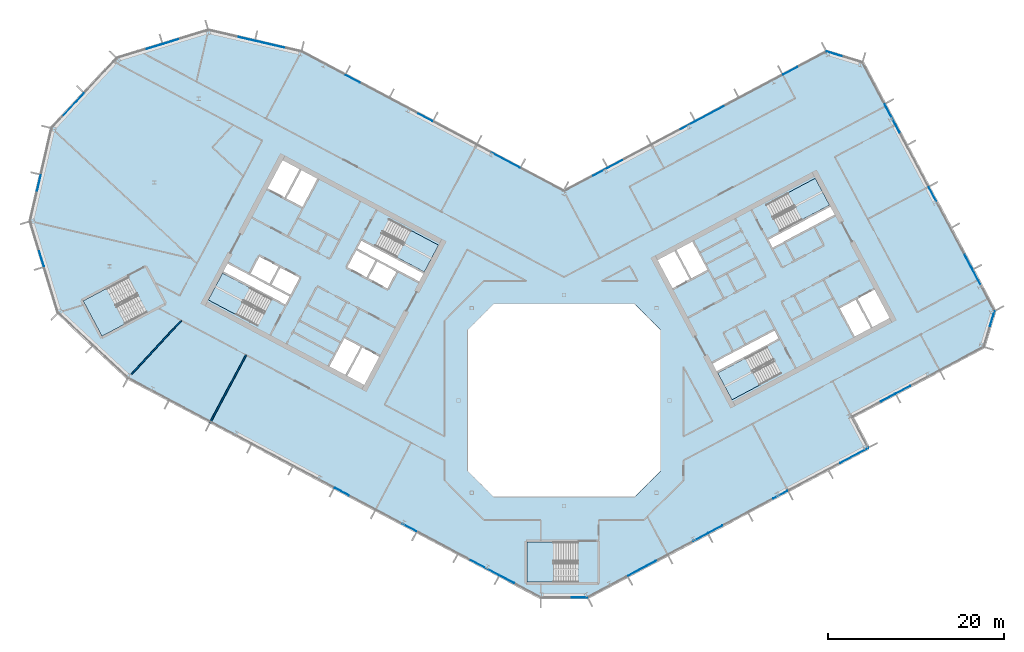
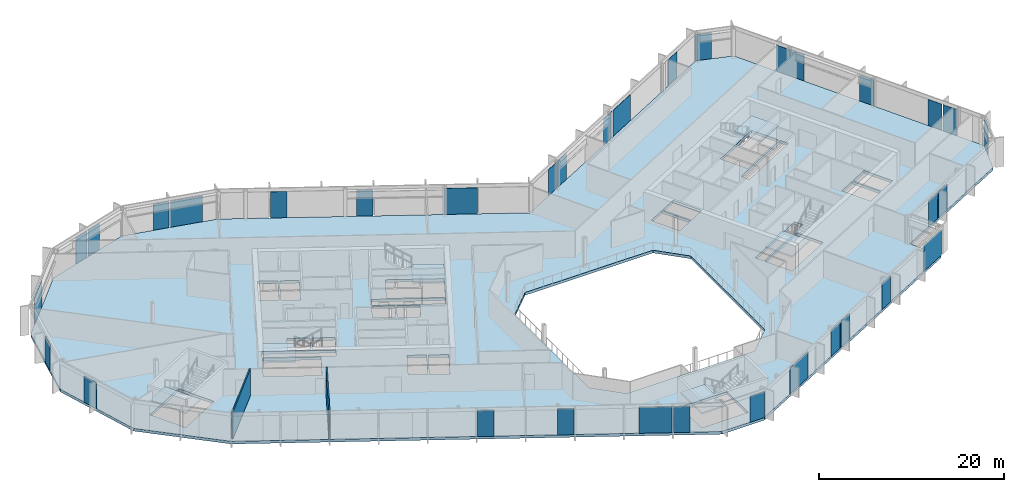
# One storey, part 11 of 26: 33 plates, 7 slabs, 2 walls, 20 elements without a shape of their own.
"""IFC4 building model written with IfcOpenShell, lengths in metres."""

from ifc_helpers import new_model, si_unit, direction, frame, frame_2d, origin, origin_2d, place, context, subcontext, project, spatial, polyline, rectangle, outline, extrude, material, layer, layer_set, type_object, element, aggregate, save


model = new_model("IFC4")

# Units and contexts
model_context = context("Model", 3, precision=1e-05, world=origin(), true_north=direction((0.0, 1.0)))
body_context = subcontext(model_context, "Body", "Model", "MODEL_VIEW")
ifc_project = project(units=[si_unit("LENGTHUNIT", "METRE"), si_unit("AREAUNIT", "SQUARE_METRE"), si_unit("VOLUMEUNIT", "CUBIC_METRE"), si_unit("PLANEANGLEUNIT", "RADIAN"), si_unit("MASSUNIT", "GRAM", prefix="KILO")], contexts=[model_context])

# Site, building, storey
site_placement = place(None, origin())
site = spatial("IfcSite", under=ifc_project, at=site_placement, CompositionType="ELEMENT")
building_placement = place(site_placement, origin())
building = spatial("IfcBuilding", under=site, at=building_placement, Name="Cormorant Relay Tower", CompositionType="ELEMENT")
storey_placement = place(building_placement, frame((0.0, 0.0, 244.199951171875)))
storey = spatial("IfcBuildingStorey", under=building, at=storey_placement, Name="L54", CompositionType="ELEMENT", Elevation=244.199951171875)

# Curtain wall, plate
ifc_material_1 = material(Name="Aluminium 6063-T6 anodised bronze", Category="aluminium")
ifc_layer_1 = layer(ifc_material_1, 0.199951171875)
ifc_layer_set_1 = layer_set([ifc_layer_1], Name="CW1 unitised bronze curtain wall with vertical fins")
curtain_wall_type = type_object("IfcCurtainWallType", Name="CW1 unitised bronze curtain wall with vertical fins", PredefinedType="NOTDEFINED", material=ifc_layer_set_1)
curtain_wall_1_placement = place(storey_placement, origin())
curtain_wall_1 = element("IfcCurtainWall", 1, at=curtain_wall_1_placement, inside=storey, type_object=curtain_wall_type, Name="CW1 curtain wall 1", PredefinedType="NOTDEFINED")
ifc_material_2 = material(Name="Tinted laminated glass", Category="glass")
ifc_layer_2 = layer(ifc_material_2, 0.0400390625)
ifc_layer_set_2 = layer_set([ifc_layer_2], Name="CW1 tinted vision panel 1800 module")
plate_type_1 = type_object("IfcPlateType", Name="CW1 tinted vision panel 1800 module", PredefinedType="CURTAIN_PANEL", material=ifc_layer_set_2)
plate_1_placement = place(storey_placement, frame((1.748779296875, -22.3955078125, 0.0), z_axis=(0.0, 0.0, 1.0), x_axis=(1.0, 0.0, 0.0)))
plate_1 = element("IfcPlate", 2, at=plate_1_placement, type_object=plate_type_1, Name="CW1 panel V01", PredefinedType="CURTAIN_PANEL", context=body_context, shape_type="SweptSolid", body=[
    extrude(rectangle(XDim=1.800048828125, YDim=0.0400390625, at=origin_2d()), origin(), (0.0, 0.0, 1.0), 3.449951171875),
])
aggregate(curtain_wall_1, [plate_1])

# Curtain wall, plates
curtain_wall_2_placement = place(storey_placement, origin())
curtain_wall_2 = element("IfcCurtainWall", 3, at=curtain_wall_2_placement, inside=storey, type_object=curtain_wall_type, Name="CW1 curtain wall 2", PredefinedType="NOTDEFINED")
plate_2_placement = place(storey_placement, frame((15.48291015625, -15.57421875, 0.0), z_axis=(0.0, 0.0, 1.0), x_axis=(0.882947592859, 0.469471562786, 0.0)))
plate_2 = element("IfcPlate", 4, at=plate_2_placement, type_object=plate_type_1, Name="CW1 panel V03", PredefinedType="CURTAIN_PANEL", context=body_context, shape_type="SweptSolid", body=[
    extrude(rectangle(XDim=1.800048828125, YDim=0.0400390625, at=origin_2d()), origin(), (0.0, 0.0, 1.0), 3.449951171875),
])
plate_3_placement = place(storey_placement, frame((17.20458984375, -14.65869140625, 0.0), z_axis=(0.0, 0.0, 1.0), x_axis=(0.882947592859, 0.469471562786, 0.0)))
plate_3 = element("IfcPlate", 5, at=plate_3_placement, type_object=plate_type_1, Name="CW1 panel V04", PredefinedType="CURTAIN_PANEL", context=body_context, shape_type="SweptSolid", body=[
    extrude(rectangle(XDim=1.800048828125, YDim=0.0400390625, at=origin_2d()), origin(), (0.0, 0.0, 1.0), 3.449951171875),
])
plate_4_placement = place(storey_placement, frame((24.6064453125, -10.72314453125, 0.0), z_axis=(0.0, 0.0, 1.0), x_axis=(0.882947592859, 0.469471562786, 0.0)))
plate_4 = element("IfcPlate", 6, at=plate_4_placement, type_object=plate_type_1, Name="CW1 panel V06", PredefinedType="CURTAIN_PANEL", context=body_context, shape_type="SweptSolid", body=[
    extrude(rectangle(XDim=1.800048828125, YDim=0.0400390625, at=origin_2d()), origin(), (0.0, 0.0, 1.0), 3.449951171875),
])

curtain_wall_3_placement = place(storey_placement, origin())
curtain_wall_3 = element("IfcCurtainWall", 7, at=curtain_wall_3_placement, inside=storey, type_object=curtain_wall_type, Name="CW1 curtain wall 4", PredefinedType="NOTDEFINED")
plate_5_placement = place(storey_placement, frame((36.85546875, 0.320068359375, 0.0), z_axis=(0.0, 0.0, 1.0), x_axis=(0.882947592859, 0.469471562786, 0.0)))
plate_5 = element("IfcPlate", 8, at=plate_5_placement, type_object=plate_type_1, Name="CW1 panel V01", PredefinedType="CURTAIN_PANEL", context=body_context, shape_type="SweptSolid", body=[
    extrude(rectangle(XDim=1.800048828125, YDim=0.0400390625, at=origin_2d()), origin(), (0.0, 0.0, 1.0), 3.449951171875),
])
plate_6_placement = place(storey_placement, frame((38.5771484375, 1.235595703125, 0.0), z_axis=(0.0, 0.0, 1.0), x_axis=(0.882947592859, 0.469471562786, 0.0)))
plate_6 = element("IfcPlate", 9, at=plate_6_placement, type_object=plate_type_1, Name="CW1 panel V02", PredefinedType="CURTAIN_PANEL", context=body_context, shape_type="SweptSolid", body=[
    extrude(rectangle(XDim=1.800048828125, YDim=0.0400390625, at=origin_2d()), origin(), (0.0, 0.0, 1.0), 3.449951171875),
])
aggregate(curtain_wall_3, [plate_5, plate_6])

# Curtain wall, plate
curtain_wall_4_placement = place(storey_placement, origin())
curtain_wall_4 = element("IfcCurtainWall", 10, at=curtain_wall_4_placement, inside=storey, type_object=curtain_wall_type, Name="CW1 curtain wall 5", PredefinedType="NOTDEFINED")
plate_7_placement = place(storey_placement, frame((48.710205078125, 9.306884765625, 0.0), z_axis=(0.0, 0.0, 1.0), x_axis=(0.292371704723, 0.956304755963, 0.0)))
plate_7 = element("IfcPlate", 11, at=plate_7_placement, type_object=plate_type_1, Name="CW1 panel V01", PredefinedType="CURTAIN_PANEL", context=body_context, shape_type="SweptSolid", body=[
    extrude(rectangle(XDim=1.800048828125, YDim=0.0400390625, at=origin_2d()), origin(), (0.0, 0.0, 1.0), 3.449951171875),
])
aggregate(curtain_wall_4, [plate_7])

# Curtain wall, plates
curtain_wall_5_placement = place(storey_placement, origin())
curtain_wall_5 = element("IfcCurtainWall", 12, at=curtain_wall_5_placement, inside=storey, type_object=curtain_wall_type, Name="CW1 curtain wall 6", PredefinedType="NOTDEFINED")
plate_8_placement = place(storey_placement, frame((46.925537109375, 14.031005859375, 0.0), z_axis=(0.0, 0.0, 1.0), x_axis=(-0.469471562786, 0.882947592859, 0.0)))
plate_8 = element("IfcPlate", 13, at=plate_8_placement, type_object=plate_type_1, Name="CW1 panel V01", PredefinedType="CURTAIN_PANEL", context=body_context, shape_type="SweptSolid", body=[
    extrude(rectangle(XDim=1.800048828125, YDim=0.0400390625, at=origin_2d()), origin(), (0.0, 0.0, 1.0), 3.449951171875),
])
plate_9_placement = place(storey_placement, frame((46.01025390625, 15.752685546875, 0.0), z_axis=(0.0, 0.0, 1.0), x_axis=(-0.469471562786, 0.882947592859, 0.0)))
plate_9 = element("IfcPlate", 14, at=plate_9_placement, type_object=plate_type_1, Name="CW1 panel V02", PredefinedType="CURTAIN_PANEL", context=body_context, shape_type="SweptSolid", body=[
    extrude(rectangle(XDim=1.800048828125, YDim=0.0400390625, at=origin_2d()), origin(), (0.0, 0.0, 1.0), 3.449951171875),
])
plate_10_placement = place(storey_placement, frame((41.91796875, 23.448974609375, 0.0), z_axis=(0.0, 0.0, 1.0), x_axis=(-0.469471562786, 0.882947592859, 0.0)))
plate_10 = element("IfcPlate", 15, at=plate_10_placement, type_object=plate_type_1, Name="CW1 panel V04", PredefinedType="CURTAIN_PANEL", context=body_context, shape_type="SweptSolid", body=[
    extrude(rectangle(XDim=1.800048828125, YDim=0.0400390625, at=origin_2d()), origin(), (0.0, 0.0, 1.0), 3.449951171875),
])

# Curtain wall, plate
curtain_wall_6_placement = place(storey_placement, origin())
curtain_wall_6 = element("IfcCurtainWall", 16, at=curtain_wall_6_placement, inside=storey, type_object=curtain_wall_type, Name="CW1 curtain wall 7", PredefinedType="NOTDEFINED")
plate_11_placement = place(storey_placement, frame((30.740234375, 39.424072265625, 0.0), z_axis=(0.0, 0.0, 1.0), x_axis=(-0.956304755963, 0.292371704723, 0.0)))
plate_11 = element("IfcPlate", 17, at=plate_11_placement, type_object=plate_type_1, Name="CW1 panel V01", PredefinedType="CURTAIN_PANEL", context=body_context, shape_type="SweptSolid", body=[
    extrude(rectangle(XDim=1.800048828125, YDim=0.0400390625, at=origin_2d()), origin(), (0.0, 0.0, 1.0), 3.449951171875),
])
aggregate(curtain_wall_6, [plate_11])

# Curtain wall, plates
curtain_wall_7_placement = place(storey_placement, origin())
curtain_wall_7 = element("IfcCurtainWall", 18, at=curtain_wall_7_placement, inside=storey, type_object=curtain_wall_type, Name="CW1 curtain wall 8", PredefinedType="NOTDEFINED")
plate_12_placement = place(storey_placement, frame((25.746337890625, 37.49609375, 0.0), z_axis=(0.0, 0.0, 1.0), x_axis=(-0.882947592859, -0.469471562786, 0.0)))
plate_12 = element("IfcPlate", 19, at=plate_12_placement, type_object=plate_type_1, Name="CW1 panel V01", PredefinedType="CURTAIN_PANEL", context=body_context, shape_type="SweptSolid", body=[
    extrude(rectangle(XDim=1.800048828125, YDim=0.0400390625, at=origin_2d()), origin(), (0.0, 0.0, 1.0), 3.449951171875),
])
plate_13_placement = place(storey_placement, frame((14.066650390625, 31.285888671875, 0.0), z_axis=(0.0, 0.0, 1.0), x_axis=(-0.882947592859, -0.469471562786, 0.0)))
plate_13 = element("IfcPlate", 20, at=plate_13_placement, type_object=plate_type_1, Name="CW1 panel V04", PredefinedType="CURTAIN_PANEL", context=body_context, shape_type="SweptSolid", body=[
    extrude(rectangle(XDim=1.800048828125, YDim=0.0400390625, at=origin_2d()), origin(), (0.0, 0.0, 1.0), 3.449951171875),
])
plate_14_placement = place(storey_placement, frame((5.830322265625, 26.90673828125, 0.0), z_axis=(0.0, 0.0, 1.0), x_axis=(-0.882947592859, -0.469471562786, 0.0)))
plate_14 = element("IfcPlate", 21, at=plate_14_placement, type_object=plate_type_1, Name="CW1 panel V06", PredefinedType="CURTAIN_PANEL", context=body_context, shape_type="SweptSolid", body=[
    extrude(rectangle(XDim=1.800048828125, YDim=0.0400390625, at=origin_2d()), origin(), (0.0, 0.0, 1.0), 3.449951171875),
])
plate_15_placement = place(storey_placement, frame((4.108642578125, 25.9912109375, 0.0), z_axis=(0.0, 0.0, 1.0), x_axis=(-0.882947592859, -0.469471562786, 0.0)))
plate_15 = element("IfcPlate", 22, at=plate_15_placement, type_object=plate_type_1, Name="CW1 panel V07", PredefinedType="CURTAIN_PANEL", context=body_context, shape_type="SweptSolid", body=[
    extrude(rectangle(XDim=1.800048828125, YDim=0.0400390625, at=origin_2d()), origin(), (0.0, 0.0, 1.0), 3.449951171875),
])

curtain_wall_8_placement = place(storey_placement, origin())
curtain_wall_8 = element("IfcCurtainWall", 23, at=curtain_wall_8_placement, inside=storey, type_object=curtain_wall_type, Name="CW1 curtain wall 9", PredefinedType="NOTDEFINED")
plate_16_placement = place(storey_placement, frame((-15.788330078125, 32.201416015625, 0.0), z_axis=(0.0, 0.0, 1.0), x_axis=(-0.882947592859, 0.469471562786, 0.0)))
plate_16 = element("IfcPlate", 24, at=plate_16_placement, type_object=plate_type_1, Name="CW1 panel V03", PredefinedType="CURTAIN_PANEL", context=body_context, shape_type="SweptSolid", body=[
    extrude(rectangle(XDim=1.800048828125, YDim=0.0400390625, at=origin_2d()), origin(), (0.0, 0.0, 1.0), 3.449951171875),
])
plate_17_placement = place(storey_placement, frame((-24.0244140625, 36.580810546875, 0.0), z_axis=(0.0, 0.0, 1.0), x_axis=(-0.882947592859, 0.469471562786, 0.0)))
plate_17 = element("IfcPlate", 25, at=plate_17_placement, type_object=plate_type_1, Name="CW1 panel V05", PredefinedType="CURTAIN_PANEL", context=body_context, shape_type="SweptSolid", body=[
    extrude(rectangle(XDim=1.800048828125, YDim=0.0400390625, at=origin_2d()), origin(), (0.0, 0.0, 1.0), 3.449951171875),
])

# Curtain wall, plate
curtain_wall_9_placement = place(storey_placement, origin())
curtain_wall_9 = element("IfcCurtainWall", 26, at=curtain_wall_9_placement, inside=storey, type_object=curtain_wall_type, Name="CW1 curtain wall 10", PredefinedType="NOTDEFINED")
plate_18_placement = place(storey_placement, frame((-36.114990234375, 41.129638671875, 0.0), z_axis=(0.0, 0.0, 1.0), x_axis=(-0.974370064785, 0.224951054344, 0.0)))
plate_18 = element("IfcPlate", 27, at=plate_18_placement, type_object=plate_type_1, Name="CW1 panel V02", PredefinedType="CURTAIN_PANEL", context=body_context, shape_type="SweptSolid", body=[
    extrude(rectangle(XDim=1.800048828125, YDim=0.0400390625, at=origin_2d()), origin(), (0.0, 0.0, 1.0), 3.449951171875),
])

# Curtain wall, plates
curtain_wall_10_placement = place(storey_placement, origin())
curtain_wall_10 = element("IfcCurtainWall", 28, at=curtain_wall_10_placement, inside=storey, type_object=curtain_wall_type, Name="CW1 curtain wall 11", PredefinedType="NOTDEFINED")
plate_19_placement = place(storey_placement, frame((-44.73681640625, 40.82861328125, 0.0), z_axis=(0.0, 0.0, 1.0), x_axis=(-0.956304755963, -0.292371704723, 0.0)))
plate_19 = element("IfcPlate", 29, at=plate_19_placement, type_object=plate_type_1, Name="CW1 panel V01", PredefinedType="CURTAIN_PANEL", context=body_context, shape_type="SweptSolid", body=[
    extrude(rectangle(XDim=1.800048828125, YDim=0.0400390625, at=origin_2d()), origin(), (0.0, 0.0, 1.0), 3.449951171875),
])
plate_20_placement = place(storey_placement, frame((-46.6015625, 40.25830078125, 0.0), z_axis=(0.0, 0.0, 1.0), x_axis=(-0.956304755963, -0.292371704723, 0.0)))
plate_20 = element("IfcPlate", 30, at=plate_20_placement, type_object=plate_type_1, Name="CW1 panel V02", PredefinedType="CURTAIN_PANEL", context=body_context, shape_type="SweptSolid", body=[
    extrude(rectangle(XDim=1.800048828125, YDim=0.0400390625, at=origin_2d()), origin(), (0.0, 0.0, 1.0), 3.449951171875),
])
aggregate(curtain_wall_10, [plate_19, plate_20])

# Curtain wall, plate
curtain_wall_11_placement = place(storey_placement, origin())
curtain_wall_11 = element("IfcCurtainWall", 31, at=curtain_wall_11_placement, inside=storey, type_object=curtain_wall_type, Name="CW1 curtain wall 13", PredefinedType="NOTDEFINED")
plate_21_placement = place(storey_placement, frame((-59.736083984375, 24.74365234375, 0.0), z_axis=(0.0, 0.0, 1.0), x_axis=(-0.224951054344, -0.974370064785, 0.0)))
plate_21 = element("IfcPlate", 32, at=plate_21_placement, type_object=plate_type_1, Name="CW1 panel V01", PredefinedType="CURTAIN_PANEL", context=body_context, shape_type="SweptSolid", body=[
    extrude(rectangle(XDim=1.800048828125, YDim=0.0400390625, at=origin_2d()), origin(), (0.0, 0.0, 1.0), 3.449951171875),
])
aggregate(curtain_wall_11, [plate_21])

curtain_wall_12_placement = place(storey_placement, origin())
curtain_wall_12 = element("IfcCurtainWall", 33, at=curtain_wall_12_placement, inside=storey, type_object=curtain_wall_type, Name="CW1 curtain wall 14", PredefinedType="NOTDEFINED")
plate_22_placement = place(storey_placement, frame((-59.434814453125, 16.122314453125, 0.0), z_axis=(0.0, 0.0, 1.0), x_axis=(0.292371704723, -0.956304755963, 0.0)))
plate_22 = element("IfcPlate", 34, at=plate_22_placement, type_object=plate_type_1, Name="CW1 panel V01", PredefinedType="CURTAIN_PANEL", context=body_context, shape_type="SweptSolid", body=[
    extrude(rectangle(XDim=1.800048828125, YDim=0.0400390625, at=origin_2d()), origin(), (0.0, 0.0, 1.0), 3.449951171875),
])
aggregate(curtain_wall_12, [plate_22])

# Curtain wall, plates
curtain_wall_13_placement = place(storey_placement, origin())
curtain_wall_13 = element("IfcCurtainWall", 35, at=curtain_wall_13_placement, inside=storey, type_object=curtain_wall_type, Name="CW1 curtain wall 16", PredefinedType="NOTDEFINED")
plate_23_placement = place(storey_placement, frame((-25.268798828125, -10.37109375, 0.0), z_axis=(0.0, 0.0, 1.0), x_axis=(0.882947592859, -0.469471562786, 0.0)))
plate_23 = element("IfcPlate", 36, at=plate_23_placement, type_object=plate_type_1, Name="CW1 panel V06", PredefinedType="CURTAIN_PANEL", context=body_context, shape_type="SweptSolid", body=[
    extrude(rectangle(XDim=1.800048828125, YDim=0.0400390625, at=origin_2d()), origin(), (0.0, 0.0, 1.0), 3.449951171875),
])
plate_24_placement = place(storey_placement, frame((-17.601806640625, -14.447509765625, 0.0), z_axis=(0.0, 0.0, 1.0), x_axis=(0.882947592859, -0.469471562786, 0.0)))
plate_24 = element("IfcPlate", 37, at=plate_24_placement, type_object=plate_type_1, Name="CW1 panel V08", PredefinedType="CURTAIN_PANEL", context=body_context, shape_type="SweptSolid", body=[
    extrude(rectangle(XDim=1.800048828125, YDim=0.0400390625, at=origin_2d()), origin(), (0.0, 0.0, 1.0), 3.449951171875),
])
plate_25_placement = place(storey_placement, frame((-6.49169921875, -20.35498046875, 0.0), z_axis=(0.0, 0.0, 1.0), x_axis=(0.882947592859, -0.469471562786, 0.0)))
plate_25 = element("IfcPlate", 38, at=plate_25_placement, type_object=plate_type_1, Name="CW1 panel V11", PredefinedType="CURTAIN_PANEL", context=body_context, shape_type="SweptSolid", body=[
    extrude(rectangle(XDim=1.800048828125, YDim=0.0400390625, at=origin_2d()), origin(), (0.0, 0.0, 1.0), 3.449951171875),
])

# Plate
ifc_material_3 = material(Name="Tinted laminated glass", Category="glass")
ifc_layer_3 = layer(ifc_material_3, 0.0400390625)
ifc_layer_set_3 = layer_set([ifc_layer_3], Name="CW1 tinted vision panel 3600 module")
plate_type_2 = type_object("IfcPlateType", Name="CW1 tinted vision panel 3600 module", PredefinedType="CURTAIN_PANEL", material=ifc_layer_set_3)
plate_26_placement = place(storey_placement, frame((8.87548828125, -19.08740234375, 0.0), z_axis=(0.0, 0.0, 1.0), x_axis=(0.882947592859, 0.469471562786, 0.0)))
plate_26 = element("IfcPlate", 39, at=plate_26_placement, type_object=plate_type_2, Name="CW1 panel V01", PredefinedType="CURTAIN_PANEL", context=body_context, shape_type="SweptSolid", body=[
    extrude(rectangle(XDim=3.60009765625, YDim=0.0400390625, at=origin_2d()), origin(), (0.0, 0.0, 1.0), 3.449951171875),
])

plate_27_placement = place(storey_placement, frame((33.00146484375, -6.259521484375, 0.0), z_axis=(0.0, 0.0, 1.0), x_axis=(0.882947592859, 0.469471562786, 0.0)))
plate_27 = element("IfcPlate", 40, at=plate_27_placement, type_object=plate_type_2, Name="CW1 panel V08", PredefinedType="CURTAIN_PANEL", context=body_context, shape_type="SweptSolid", body=[
    extrude(rectangle(XDim=3.60009765625, YDim=0.0400390625, at=origin_2d()), origin(), (0.0, 0.0, 1.0), 3.449951171875),
])

aggregate(curtain_wall_2, [plate_26, plate_2, plate_3, plate_4, plate_27])

plate_28_placement = place(storey_placement, frame((37.332763671875, 32.072509765625, 0.0), z_axis=(0.0, 0.0, 1.0), x_axis=(-0.469471562786, 0.882947592859, 0.0)))
plate_28 = element("IfcPlate", 41, at=plate_28_placement, type_object=plate_type_2, Name="CW1 panel V06", PredefinedType="CURTAIN_PANEL", context=body_context, shape_type="SweptSolid", body=[
    extrude(rectangle(XDim=3.60009765625, YDim=0.0400390625, at=origin_2d()), origin(), (0.0, 0.0, 1.0), 3.449951171875),
])

aggregate(curtain_wall_5, [plate_8, plate_9, plate_10, plate_28])

plate_29_placement = place(storey_placement, frame((16.5830078125, 32.6240234375, 0.0), z_axis=(0.0, 0.0, 1.0), x_axis=(-0.882947592859, -0.469471562786, 0.0)))
plate_29 = element("IfcPlate", 42, at=plate_29_placement, type_object=plate_type_2, Name="CW1 panel V03", PredefinedType="CURTAIN_PANEL", context=body_context, shape_type="SweptSolid", body=[
    extrude(rectangle(XDim=3.60009765625, YDim=0.0400390625, at=origin_2d()), origin(), (0.0, 0.0, 1.0), 3.449951171875),
])

aggregate(curtain_wall_7, [plate_12, plate_29, plate_13, plate_14, plate_15])

plate_30_placement = place(storey_placement, frame((-6.625, 27.3291015625, 0.0), z_axis=(0.0, 0.0, 1.0), x_axis=(-0.882947592859, 0.469471562786, 0.0)))
plate_30 = element("IfcPlate", 43, at=plate_30_placement, type_object=plate_type_2, Name="CW1 panel V01", PredefinedType="CURTAIN_PANEL", context=body_context, shape_type="SweptSolid", body=[
    extrude(rectangle(XDim=3.60009765625, YDim=0.0400390625, at=origin_2d()), origin(), (0.0, 0.0, 1.0), 3.449951171875),
])

aggregate(curtain_wall_8, [plate_30, plate_16, plate_17])

plate_31_placement = place(storey_placement, frame((-33.338134765625, 40.488525390625, 0.0), z_axis=(0.0, 0.0, 1.0), x_axis=(-0.974370064785, 0.224951054344, 0.0)))
plate_31 = element("IfcPlate", 44, at=plate_31_placement, type_object=plate_type_2, Name="CW1 panel V01", PredefinedType="CURTAIN_PANEL", context=body_context, shape_type="SweptSolid", body=[
    extrude(rectangle(XDim=3.60009765625, YDim=0.0400390625, at=origin_2d()), origin(), (0.0, 0.0, 1.0), 3.449951171875),
])

aggregate(curtain_wall_9, [plate_31, plate_18])

# Curtain wall, plate
curtain_wall_14_placement = place(storey_placement, origin())
curtain_wall_14 = element("IfcCurtainWall", 45, at=curtain_wall_14_placement, inside=storey, type_object=curtain_wall_type, Name="CW1 curtain wall 12", PredefinedType="NOTDEFINED")
plate_32_placement = place(storey_placement, frame((-55.861083984375, 33.6025390625, 0.0), z_axis=(0.0, 0.0, 1.0), x_axis=(-0.681998360062, -0.731353701619, 0.0)))
plate_32 = element("IfcPlate", 46, at=plate_32_placement, type_object=plate_type_2, Name="CW1 panel V01", PredefinedType="CURTAIN_PANEL", context=body_context, shape_type="SweptSolid", body=[
    extrude(rectangle(XDim=3.60009765625, YDim=0.0400390625, at=origin_2d()), origin(), (0.0, 0.0, 1.0), 3.449951171875),
])
aggregate(curtain_wall_14, [plate_32])

# Plate
plate_33_placement = place(storey_placement, frame((-9.008056640625, -19.01708984375, 0.0), z_axis=(0.0, 0.0, 1.0), x_axis=(0.882947592859, -0.469471562786, 0.0)))
plate_33 = element("IfcPlate", 47, at=plate_33_placement, type_object=plate_type_2, Name="CW1 panel V10", PredefinedType="CURTAIN_PANEL", context=body_context, shape_type="SweptSolid", body=[
    extrude(rectangle(XDim=3.60009765625, YDim=0.0400390625, at=origin_2d()), origin(), (0.0, 0.0, 1.0), 3.449951171875),
])

aggregate(curtain_wall_13, [plate_23, plate_24, plate_33, plate_25])

# Stair, slab
ifc_material_4 = material(Name="Concrete 40 MPa", Category="concrete")
stair_type_1 = type_object("IfcStairType", Name="Exit stair 1500", PredefinedType="HALF_TURN_STAIR", material=ifc_material_4)
stair_1_placement = place(storey_placement, origin())
stair_1 = element("IfcStair", 48, at=stair_1_placement, inside=storey, type_object=stair_type_1, Name="L54 Stair", PredefinedType="HALF_TURN_STAIR")
ifc_material_5 = material(Name="Concrete 40 MPa", Category="concrete")
ifc_layer_4 = layer(ifc_material_5, 0.199951171875)
ifc_layer_set_4 = layer_set([ifc_layer_4], Name="Exit stair landing 200")
slab_type_1 = type_object("IfcSlabType", Name="Exit stair landing 200", PredefinedType="LANDING", material=ifc_layer_set_4)
slab_1_placement = place(storey_placement, frame((0.0, 0.0, 1.75)))
slab_1 = element("IfcSlab", 49, at=slab_1_placement, type_object=slab_type_1, Name="A1 landing 1", PredefinedType="LANDING", context=body_context, shape_type="SweptSolid", body=[
    extrude(outline(polyline([(-19.029541015625, 16.29052734375), (-15.89501953125, 14.6240234375), (-14.275390625, 17.670166015625), (-17.40966796875, 19.3369140625), (-19.029541015625, 16.29052734375)])), origin(), (0.0, 0.0, 1.0), 0.199951171875),
])
aggregate(stair_1, [slab_1])

stair_2_placement = place(storey_placement, origin())
stair_2 = element("IfcStair", 50, at=stair_2_placement, inside=storey, type_object=stair_type_1, Name="L54 Stair", PredefinedType="HALF_TURN_STAIR")
slab_2_placement = place(storey_placement, frame((0.0, 0.0, 1.75)))
slab_2 = element("IfcSlab", 51, at=slab_2_placement, type_object=slab_type_1, Name="A2 landing 1", PredefinedType="LANDING", context=body_context, shape_type="SweptSolid", body=[
    extrude(outline(polyline([(-35.71337890625, 12.816650390625), (-38.84765625, 14.483154296875), (-40.467529296875, 11.43701171875), (-37.3330078125, 9.7705078125), (-35.71337890625, 12.816650390625)])), origin(), (0.0, 0.0, 1.0), 0.199951171875),
])
aggregate(stair_2, [slab_2])

stair_3_placement = place(storey_placement, origin())
stair_3 = element("IfcStair", 52, at=stair_3_placement, inside=storey, type_object=stair_type_1, Name="L54 Stair", PredefinedType="HALF_TURN_STAIR")
slab_3_placement = place(storey_placement, frame((0.0, 0.0, 1.75)))
slab_3 = element("IfcSlab", 53, at=slab_3_placement, type_object=slab_type_1, Name="B1 landing 1", PredefinedType="LANDING", context=body_context, shape_type="SweptSolid", body=[
    extrude(outline(polyline([(20.614990234375, 4.78857421875), (17.48046875, 3.1220703125), (19.10009765625, 0.075927734375), (22.234619140625, 1.742431640625), (20.614990234375, 4.78857421875)])), origin(), (0.0, 0.0, 1.0), 0.199951171875),
])
aggregate(stair_3, [slab_3])

stair_4_placement = place(storey_placement, origin())
stair_4 = element("IfcStair", 54, at=stair_4_placement, inside=storey, type_object=stair_type_1, Name="L54 Stair", PredefinedType="HALF_TURN_STAIR")
slab_4_placement = place(storey_placement, frame((0.0, 0.0, 1.75)))
slab_4 = element("IfcSlab", 55, at=slab_4_placement, type_object=slab_type_1, Name="B2 landing 1", PredefinedType="LANDING", context=body_context, shape_type="SweptSolid", body=[
    extrude(outline(polyline([(27.064208984375, 20.562744140625), (30.19873046875, 22.2294921875), (28.5791015625, 25.275634765625), (25.444580078125, 23.60888671875), (27.064208984375, 20.562744140625)])), origin(), (0.0, 0.0, 1.0), 0.199951171875),
])
aggregate(stair_4, [slab_4])

ifc_material_6 = material(Name="Concrete 40 MPa", Category="concrete")
stair_type_2 = type_object("IfcStairType", Name="Remote exit stair 2200", PredefinedType="HALF_TURN_STAIR", material=ifc_material_6)
stair_5_placement = place(storey_placement, origin())
stair_5 = element("IfcStair", 56, at=stair_5_placement, inside=storey, type_object=stair_type_2, Name="L54 Stair", PredefinedType="HALF_TURN_STAIR")
slab_5_placement = place(storey_placement, frame((0.0, 0.0, 1.75)))
slab_5 = element("IfcSlab", 57, at=slab_5_placement, type_object=slab_type_1, Name="RK1 landing 1", PredefinedType="LANDING", context=body_context, shape_type="SweptSolid", body=[
    extrude(outline(polyline([(-1.199951171875, -16.125), (-4.199951171875, -16.125), (-4.199951171875, -20.675048828125), (-1.199951171875, -20.675048828125), (-1.199951171875, -16.125)])), origin(), (0.0, 0.0, 1.0), 0.199951171875),
])
aggregate(stair_5, [slab_5])

stair_6_placement = place(storey_placement, origin())
stair_6 = element("IfcStair", 58, at=stair_6_placement, inside=storey, type_object=stair_type_2, Name="L54 Stair", PredefinedType="HALF_TURN_STAIR")
slab_6_placement = place(storey_placement, frame((0.0, 0.0, 1.75)))
slab_6 = element("IfcSlab", 59, at=slab_6_placement, type_object=slab_type_1, Name="RP1 landing 1", PredefinedType="LANDING", context=body_context, shape_type="SweptSolid", body=[
    extrude(outline(polyline([(-52.051025390625, 12.7392578125), (-54.699951171875, 11.330810546875), (-52.563720703125, 7.3134765625), (-49.914794921875, 8.721923828125), (-52.051025390625, 12.7392578125)])), origin(), (0.0, 0.0, 1.0), 0.199951171875),
])
aggregate(stair_6, [slab_6])

# Slab
ifc_material_7 = material(Name="Concrete 40 MPa", Category="concrete")
ifc_layer_5 = layer(ifc_material_7, 0.360107421875)
ifc_layer_set_5 = layer_set([ifc_layer_5], Name="Flat plate 360")
slab_type_2 = type_object("IfcSlabType", Name="Flat plate 360", PredefinedType="FLOOR", material=ifc_layer_set_5)
slab_7_placement = place(storey_placement, frame((0.0, 0.0, -0.35986328125)))
element("IfcSlab", 60, at=slab_7_placement, inside=storey, type_object=slab_type_2, Name="Floor slab L54", PredefinedType="FLOOR", context=body_context, shape_type="SweptSolid", body=[
    extrude(outline(polyline([(-60.7197265625, 20.393310546875), (-58.2744140625, 30.985107421875), (-50.86083984375, 38.935302734375), (-40.465576171875, 42.11328125), (-29.873779296875, 39.668212890625), (0.0, 23.783935546875), (29.873779296875, 39.668212890625), (33.930908203125, 38.427734375), (48.9541015625, 10.17333984375), (47.713623046875, 6.1162109375), (32.70361328125, -1.864990234375), (34.581298828125, -5.396728515625), (2.648681640625, -22.37548828125), (-2.648681640625, -22.37548828125), (-49.591552734375, 2.584228515625), (-57.541748046875, 9.997802734375), (-60.7197265625, 20.393310546875)]), holes=[polyline([(11.0, -8.0), (11.0, 8.0), (8.0, 11.0), (-8.0, 11.0), (-11.0, 8.0), (-11.0, -8.0), (-8.0, -11.0), (8.0, -11.0), (11.0, -8.0)]), polyline([(-22.95458984375, 6.03271484375), (-24.668212890625, 2.81005859375), (-22.725830078125, 1.777099609375), (-21.01220703125, 5.0), (-23.04296875, 6.07958984375), (-22.95458984375, 6.03271484375)]), polyline([(-24.985595703125, 7.112548828125), (-26.69921875, 3.889892578125), (-24.844970703125, 2.90380859375), (-23.13134765625, 6.126708984375), (-23.04296875, 6.07958984375), (-24.985595703125, 7.112548828125)]), polyline([(-54.69970703125, 11.330810546875), (-52.563720703125, 7.3134765625), (-47.442626953125, 10.036376953125), (-49.57861328125, 14.0537109375), (-54.69970703125, 11.330810546875)]), polyline([(-33.240966796875, 11.502197265625), (-38.847900390625, 14.483154296875), (-40.46728515625, 11.43701171875), (-34.860595703125, 8.455810546875), (-33.240966796875, 11.502197265625)]), polyline([(-38.260986328125, 15.5869140625), (-38.75390625, 14.659912109375), (-31.690185546875, 10.904052734375), (-31.197265625, 11.8310546875), (-38.260986328125, 15.5869140625)]), polyline([(-31.103515625, 12.0078125), (-30.070556640625, 13.9501953125), (-32.278076171875, 15.123779296875), (-33.310791015625, 13.181396484375), (-31.103515625, 12.0078125)]), polyline([(-22.2880859375, 13.889404296875), (-20.080810546875, 12.7158203125), (-19.048095703125, 14.658203125), (-21.25537109375, 15.831787109375), (-22.2880859375, 13.889404296875)]), polyline([(-34.661865234375, 16.3916015625), (-35.69482421875, 14.448974609375), (-33.4873046875, 13.275390625), (-32.45458984375, 15.2177734375), (-34.661865234375, 16.3916015625)]), polyline([(-22.46484375, 13.9833984375), (-21.431884765625, 15.92578125), (-23.639404296875, 17.099609375), (-24.672119140625, 15.156982421875), (-22.46484375, 13.9833984375)]), polyline([(-31.611572265625, 22.980712890625), (-29.75732421875, 21.99462890625), (-28.043701171875, 25.217529296875), (-29.89794921875, 26.203369140625), (-31.611572265625, 22.980712890625)]), polyline([(-32.01708984375, 27.330078125), (-33.73046875, 24.107421875), (-31.7880859375, 23.074462890625), (-30.074462890625, 26.29736328125), (-32.01708984375, 27.330078125)]), polyline([(-4.199951171875, -16.125), (-4.199951171875, -20.675048828125), (1.60009765625, -20.675048828125), (1.60009765625, -16.125), (-4.199951171875, -16.125)]), polyline([(17.48046875, 3.1220703125), (19.10009765625, 0.07568359375), (24.706787109375, 3.056884765625), (23.087158203125, 6.10302734375), (17.48046875, 3.1220703125)]), polyline([(17.386474609375, 3.298583984375), (24.4501953125, 7.054443359375), (23.957275390625, 7.9814453125), (16.8935546875, 4.2255859375), (17.386474609375, 3.298583984375)]), polyline([(33.197021484375, 11.478515625), (31.3427734375, 10.49267578125), (33.056396484375, 7.27001953125), (34.910400390625, 8.255859375), (33.197021484375, 11.478515625)]), polyline([(33.37353515625, 11.572509765625), (35.087158203125, 8.349609375), (37.029541015625, 9.382568359375), (35.31591796875, 12.605224609375), (33.37353515625, 11.572509765625)]), polyline([(14.3056640625, 13.779052734375), (12.592041015625, 17.001708984375), (10.649658203125, 15.968994140625), (12.36328125, 12.74609375), (14.39404296875, 13.825927734375), (14.3056640625, 13.779052734375)]), polyline([(16.33642578125, 14.85888671875), (14.622802734375, 18.08154296875), (12.768798828125, 17.095703125), (14.482421875, 13.872802734375), (14.39404296875, 13.825927734375), (16.33642578125, 14.85888671875)]), polyline([(-16.481689453125, 13.520263671875), (-15.989013671875, 14.447509765625), (-23.052490234375, 18.203125), (-23.54541015625, 17.276123046875), (-16.481689453125, 13.520263671875)]), polyline([(-15.89501953125, 14.6240234375), (-14.275390625, 17.670166015625), (-19.882080078125, 20.6513671875), (-21.501708984375, 17.605224609375), (-15.89501953125, 14.6240234375)]), polyline([(30.78564453125, 21.125732421875), (30.29248046875, 22.052978515625), (23.22900390625, 18.297119140625), (23.721923828125, 17.3701171875), (30.78564453125, 21.125732421875)]), polyline([(24.592041015625, 19.248291015625), (30.19873046875, 22.2294921875), (28.5791015625, 25.275634765625), (22.972412109375, 22.29443359375), (24.592041015625, 19.248291015625)])]), origin(), (0.0, 0.0, 1.0), 0.35986328125),
])

# Walls
ifc_material_8 = material(Name="Gypsum board partition")
ifc_layer_6 = layer(ifc_material_8, 0.14990234375)
ifc_layer_set_6 = layer_set([ifc_layer_6], Name="Tenant partition 150")
wall_type = type_object("IfcWallType", Name="Tenant partition 150", PredefinedType="PARTITIONING", material=ifc_layer_set_6)
wall_1_placement = place(storey_placement, frame((-43.51904296875, 9.095947265625, 0.0), z_axis=(0.0, 0.0, 1.0), x_axis=(-0.681976527411, -0.731374060287, 0.0)))
element("IfcWall", 61, at=wall_1_placement, inside=storey, type_object=wall_type, Name="wall/L54/part/008", PredefinedType="PARTITIONING", context=body_context, shape_type="SweptSolid", body=[
    extrude(rectangle(XDim=8.402099609375, YDim=0.14990234375, at=frame_2d((4.201171875, 0.0))), origin(), (0.0, 0.0, 1.0), 3.5400390625),
])
wall_2_placement = place(storey_placement, frame((-36.166015625, 5.18603515625, 0.0), z_axis=(0.0, 0.0, 1.0), x_axis=(-0.469445946219, -0.882961212952, 0.0)))
element("IfcWall", 62, at=wall_2_placement, inside=storey, type_object=wall_type, Name="wall/L54/part/009", PredefinedType="PARTITIONING", context=body_context, shape_type="SweptSolid", body=[
    extrude(rectangle(XDim=8.800048828125, YDim=0.14990234375, at=frame_2d((4.39990234375, 0.0))), origin(), (0.0, 0.0, 1.0), 3.5400390625),
])

save(model, "model.ifc")
